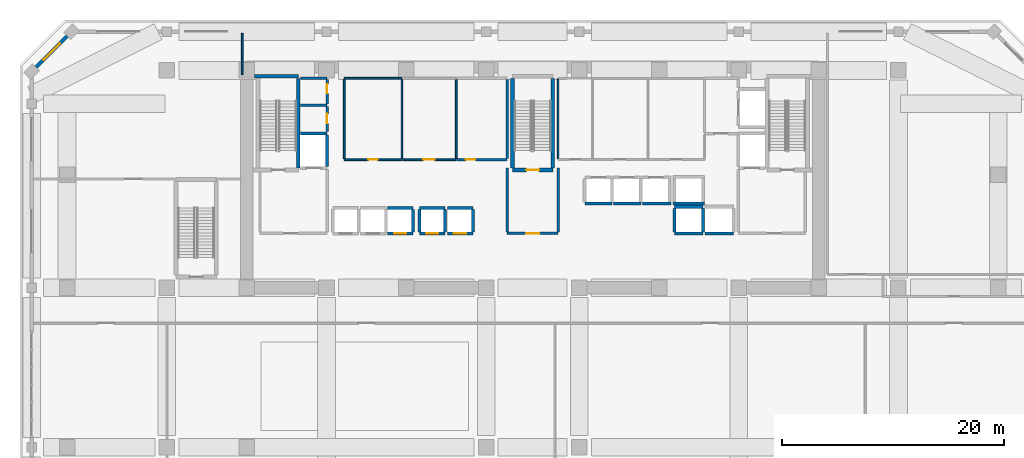
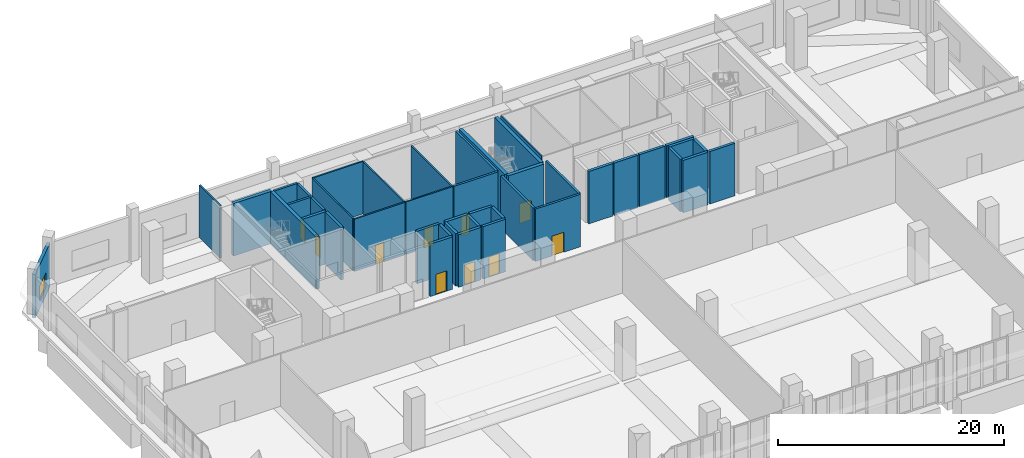
# One storey, part 18 of 25: 44 walls, 10 doors, 1 window, 11 openings.
"""IFC4 building model written with IfcOpenShell, lengths in metres."""

from ifc_helpers import new_model, si_unit, direction, frame, frame_2d, origin, place, context, subcontext, project, spatial, rectangle, extrude, material, layer, layer_set, type_object, element, fill, save


model = new_model("IFC4")

# Units and contexts
model_context = context("Model", 3, precision=1e-05, world=origin(), true_north=direction((0.0, 1.0)))
body_context = subcontext(model_context, "Body", "Model", "MODEL_VIEW")
ifc_project = project(units=[si_unit("LENGTHUNIT", "METRE"), si_unit("AREAUNIT", "SQUARE_METRE"), si_unit("VOLUMEUNIT", "CUBIC_METRE"), si_unit("PLANEANGLEUNIT", "RADIAN"), si_unit("MASSUNIT", "GRAM", prefix="KILO")], contexts=[model_context])

# Site, building, storey
site_placement = place(None, origin())
site = spatial("IfcSite", under=ifc_project, at=site_placement, CompositionType="ELEMENT")
building_placement = place(site_placement, origin())
building = spatial("IfcBuilding", under=site, at=building_placement, Name="Kaelvorn Grand Hotel", CompositionType="ELEMENT")
storey_placement = place(building_placement, frame((0.0, 0.0, 8.0)))
storey = spatial("IfcBuildingStorey", under=building, at=storey_placement, Name="L01", CompositionType="ELEMENT", Elevation=8.0)

# Wall, opening, window
ifc_material_1 = material(Name="Concrete C40/50", Category="concrete")
ifc_layer_1 = layer(ifc_material_1, 0.300048828125)
ifc_layer_set_1 = layer_set([ifc_layer_1], Name="Concrete C40/50")
wall_type_1 = type_object("IfcWallType", Name="WL-EXT-300-C40", PredefinedType="SOLIDWALL", material=ifc_layer_set_1)
wall_1_placement = place(storey_placement, frame((0.39990234375, 52.5, 0.0), z_axis=(0.0, 0.0, 1.0), x_axis=(-0.707082803744, -0.707130757816, 0.0)))
wall_1 = element("IfcWall", 1, at=wall_1_placement, inside=storey, type_object=wall_type_1, Name="L01 Exterior Architectural Concrete Wall 06", PredefinedType="SOLIDWALL", context=body_context, shape_type="SweptSolid", body=[
    extrude(rectangle(XDim=5.091064453125, YDim=0.300048828125, at=frame_2d((2.54541015625, 0.0))), origin(), (0.0, 0.0, 1.0), 4.72998046875),
])
opening_1_placement = place(wall_1_placement, frame((1.49560546875, 0.0, 0.85009765625)))
opening_1 = element("IfcOpeningElement", 2, at=opening_1_placement, cuts=wall_1, Name="Opening W7", PredefinedType="OPENING", context=body_context, shape_type="SweptSolid", body=[
    extrude(rectangle(XDim=2.10009765625, YDim=1.60009765625, at=frame_2d((1.050048828125, 0.800048828125))), frame((0.0, 0.16015625, 0.0), z_axis=(0.0, -1.0, 0.0), x_axis=(1.0, 0.0, 0.0)), (0.0, 0.0, 1.0), 0.320068359375),
])
ifc_material_2 = material(Name="Laminated Low-E Glass", Category="glass")
window_type = type_object("IfcWindowType", Name="WIN-CHM-2100x1600", PartitioningType="SINGLE_PANEL", PredefinedType="WINDOW", material=ifc_material_2)
window_placement = place(opening_1_placement, origin())
window = element("IfcWindow", 3, at=window_placement, inside=storey, type_object=window_type, Name="L01 Chamfered 45-Degree Corner Window NW", OverallHeight=1.60009765625, OverallWidth=2.10009765625, PartitioningType="SINGLE_PANEL", PredefinedType="WINDOW", context=body_context, shape_type="SweptSolid", body=[
    extrude(rectangle(XDim=2.10009765625, YDim=1.60009765625, at=frame_2d((1.050048828125, 0.800048828125))), frame((0.0, 0.030029296875, 0.0), z_axis=(0.0, -1.0, 0.0), x_axis=(1.0, 0.0, 0.0)), (0.0, 0.0, 1.0), 0.06005859375),
])
fill(opening_1, window)

# Wall
ifc_material_3 = material(Name="Moisture-Resistant Tile & Stud Board")
ifc_layer_2 = layer(ifc_material_3, 0.125)
ifc_layer_set_2 = layer_set([ifc_layer_2], Name="Moisture-Resistant Tile & Stud Board")
wall_type_2 = type_object("IfcWallType", Name="WL-PART-125-WET", PredefinedType="PARTITIONING", material=ifc_layer_set_2)
wall_2_placement = place(storey_placement, frame((44.300048828125, 41.017578125, 0.0), z_axis=(0.0, 0.0, 1.0), x_axis=(0.0, 1.0, 0.0)))
element("IfcWall", 4, at=wall_2_placement, inside=storey, type_object=wall_type_2, Name="L01 Accessible WC W Partition", PredefinedType="PARTITIONING", context=body_context, shape_type="SweptSolid", body=[
    extrude(rectangle(XDim=7.21484375, YDim=0.125, at=frame_2d((3.607421875, 0.0))), origin(), (0.0, 0.0, 1.0), 5.679931640625),
])

# Wall, opening, door
ifc_material_4 = material(Name="Acoustic Gypsum & Stud Partition")
ifc_layer_3 = layer(ifc_material_4, 0.14990234375)
ifc_layer_set_3 = layer_set([ifc_layer_3], Name="Acoustic Gypsum & Stud Partition")
wall_type_3 = type_object("IfcWallType", Name="WL-PART-150-EI60", PredefinedType="PARTITIONING", material=ifc_layer_set_3)
wall_3_placement = place(storey_placement, frame((25.0, 40.949951171875, 0.0), z_axis=(0.0, 0.0, 1.0), x_axis=(1.0, 0.0, 0.0)))
wall_3 = element("IfcWall", 5, at=wall_3_placement, inside=storey, type_object=wall_type_3, Name="L01 Central Janitor & Linen Store S Partition", PredefinedType="PARTITIONING", context=body_context, shape_type="SweptSolid", body=[
    extrude(rectangle(XDim=5.199951171875, YDim=0.14990234375, at=frame_2d((2.60009765625, 0.0))), origin(), (0.0, 0.0, 1.0), 5.679931640625),
])
opening_2_placement = place(wall_3_placement, frame((2.175048828125, 0.0, 0.0)))
opening_2 = element("IfcOpeningElement", 6, at=opening_2_placement, cuts=wall_3, Name="Opening DI7", PredefinedType="OPENING", context=body_context, shape_type="SweptSolid", body=[
    extrude(rectangle(XDim=0.85009765625, YDim=2.10009765625, at=frame_2d((0.425048828125, 1.050048828125))), frame((0.0, 0.0849609375, 0.0), z_axis=(0.0, -1.0, 0.0), x_axis=(1.0, 0.0, 0.0)), (0.0, 0.0, 1.0), 0.169921875),
])
ifc_material_5 = material(Name="Powder-Coated Steel Leaf", Category="steel")
door_type_1 = type_object("IfcDoorType", Name="DR-INT-RISER-850x2100", OperationType="NOTDEFINED", PredefinedType="DOOR", material=ifc_material_5)
door_1_placement = place(opening_2_placement, origin())
door_1 = element("IfcDoor", 7, at=door_1_placement, inside=storey, type_object=door_type_1, Name="L01 Central Janitor & Linen Store Door", OperationType="SINGLE_SWING_LEFT", OverallHeight=2.10009765625, OverallWidth=0.85009765625, PredefinedType="DOOR", context=body_context, shape_type="SweptSolid", body=[
    extrude(rectangle(XDim=0.85009765625, YDim=2.10009765625, at=frame_2d((0.425048828125, 1.050048828125))), frame((0.0, 0.02490234375, 0.0), z_axis=(0.0, -1.0, 0.0), x_axis=(1.0, 0.0, 0.0)), (0.0, 0.0, 1.0), 0.050048828125),
])
fill(opening_2, door_1)

# Walls
wall_4_placement = place(storey_placement, frame((25.0, 48.300048828125, 0.0), z_axis=(0.0, 0.0, 1.0), x_axis=(1.0, 0.0, 0.0)))
element("IfcWall", 8, at=wall_4_placement, inside=storey, type_object=wall_type_3, Name="L01 Central Janitor & Linen Store N Partition", PredefinedType="PARTITIONING", context=body_context, shape_type="SweptSolid", body=[
    extrude(rectangle(XDim=5.199951171875, YDim=0.14990234375, at=frame_2d((2.60009765625, 0.0))), origin(), (0.0, 0.0, 1.0), 5.679931640625),
])
for number, where, z_axis, x_axis, name in (
    (9, (25.0, 41.030029296875, 0.0), (0.0, 0.0, 1.0), (0.0, 1.0, 0.0), "L01 Central Janitor & Linen Store W Partition"),
    (10, (30.199951171875, 41.030029296875, 0.0), (0.0, 0.0, 1.0), (0.0, 1.0, 0.0), "L01 Central Janitor & Linen Store E Partition"),
):
    element("IfcWall", number, at=place(storey_placement, frame(where, z_axis=z_axis, x_axis=x_axis)), inside=storey, type_object=wall_type_3, Name=name, PredefinedType="PARTITIONING", context=body_context, shape_type="SweptSolid", body=[
        extrude(rectangle(XDim=7.18994140625, YDim=0.14990234375, at=frame_2d((3.594970703125, 0.0))), origin(), (0.0, 0.0, 1.0), 5.679931640625),
    ])

# Wall, opening, door
wall_5_placement = place(storey_placement, frame((30.280029296875, 40.949951171875, 0.0), z_axis=(0.0, 0.0, 1.0), x_axis=(1.0, 0.0, 0.0)))
wall_5 = element("IfcWall", 11, at=wall_5_placement, inside=storey, type_object=wall_type_3, Name="L01 Room Service Servery Pantry S Partition", PredefinedType="PARTITIONING", context=body_context, shape_type="SweptSolid", body=[
    extrude(rectangle(XDim=4.820068359375, YDim=0.14990234375, at=frame_2d((2.41015625, 0.0))), origin(), (0.0, 0.0, 1.0), 5.679931640625),
])
opening_3_placement = place(wall_5_placement, frame((1.8701171875, 0.0, 0.0)))
opening_3 = element("IfcOpeningElement", 12, at=opening_3_placement, cuts=wall_5, Name="Opening DI3", PredefinedType="OPENING", context=body_context, shape_type="SweptSolid", body=[
    extrude(rectangle(XDim=1.0, YDim=2.14990234375, at=frame_2d((0.5, 1.074951171875))), frame((0.0, 0.0849609375, 0.0), z_axis=(0.0, -1.0, 0.0), x_axis=(1.0, 0.0, 0.0)), (0.0, 0.0, 1.0), 0.169921875),
])
ifc_material_6 = material(Name="Timber Veneer Fire Leaf", Category="wood")
door_type_2 = type_object("IfcDoorType", Name="DR-INT-GUEST-1000x2150", OperationType="NOTDEFINED", PredefinedType="DOOR", material=ifc_material_6)
door_2_placement = place(opening_3_placement, origin())
door_2 = element("IfcDoor", 13, at=door_2_placement, inside=storey, type_object=door_type_2, Name="L01 Room Service Servery Pantry Door", OperationType="SINGLE_SWING_RIGHT", OverallHeight=2.14990234375, OverallWidth=1.0, PredefinedType="DOOR", context=body_context, shape_type="SweptSolid", body=[
    extrude(rectangle(XDim=1.0, YDim=2.14990234375, at=frame_2d((0.5, 1.074951171875))), frame((0.0, 0.02490234375, 0.0), z_axis=(0.0, -1.0, 0.0), x_axis=(1.0, 0.0, 0.0)), (0.0, 0.0, 1.0), 0.050048828125),
])
fill(opening_3, door_2)

# Walls
wall_6_placement = place(storey_placement, frame((35.10009765625, 41.030029296875, 0.0), z_axis=(0.0, 0.0, 1.0), x_axis=(0.0, 1.0, 0.0)))
element("IfcWall", 14, at=wall_6_placement, inside=storey, type_object=wall_type_3, Name="L01 Room Service Servery Pantry E Partition", PredefinedType="PARTITIONING", context=body_context, shape_type="SweptSolid", body=[
    extrude(rectangle(XDim=7.18994140625, YDim=0.14990234375, at=frame_2d((3.594970703125, 0.0))), origin(), (0.0, 0.0, 1.0), 5.679931640625),
])
wall_7_placement = place(storey_placement, frame((15.800048828125, 48.610107421875, 0.0), z_axis=(0.0, 0.0, 1.0), x_axis=(0.0, 1.0, 0.0)))
element("IfcWall", 15, at=wall_7_placement, inside=storey, type_object=wall_type_3, Name="L01 L01 North-West Banquet Support & Admin Office E Partition", PredefinedType="PARTITIONING", context=body_context, shape_type="SweptSolid", body=[
    extrude(rectangle(XDim=3.73486328125, YDim=0.14990234375, at=frame_2d((1.867431640625, 0.0))), origin(), (0.0, 0.0, 1.0), 5.679931640625),
])

# Wall, opening, door
ifc_layer_4 = layer(ifc_material_1, 0.219970703125)
ifc_layer_set_4 = layer_set([ifc_layer_4], Name="Concrete C40/50")
wall_type_4 = type_object("IfcWallType", Name="WL-PART-220-EI120", PredefinedType="PARTITIONING", material=ifc_layer_set_4)
wall_8_placement = place(storey_placement, frame((39.699951171875, 34.300048828125, 0.0), z_axis=(0.0, 0.0, 1.0), x_axis=(1.0, 0.0, 0.0)))
wall_8 = element("IfcWall", 16, at=wall_8_placement, inside=storey, type_object=wall_type_4, Name="L01 Central Stair Escape Vestibule S Partition", PredefinedType="PARTITIONING", context=body_context, shape_type="SweptSolid", body=[
    extrude(rectangle(XDim=4.60009765625, YDim=0.219970703125, at=frame_2d((2.300048828125, 0.0))), origin(), (0.0, 0.0, 1.0), 5.679931640625),
])
opening_4_placement = place(wall_8_placement, frame((1.699951171875, 0.0, 0.0)))
opening_4 = element("IfcOpeningElement", 17, at=opening_4_placement, cuts=wall_8, Name="Opening DI2", PredefinedType="OPENING", context=body_context, shape_type="SweptSolid", body=[
    extrude(rectangle(XDim=1.199951171875, YDim=2.14990234375, at=frame_2d((0.60009765625, 1.074951171875))), frame((0.0, 0.1201171875, 0.0), z_axis=(0.0, -1.0, 0.0), x_axis=(1.0, 0.0, 0.0)), (0.0, 0.0, 1.0), 0.239990234375),
])
door_type_3 = type_object("IfcDoorType", Name="DR-INT-FFLOB-1200x2150", OperationType="NOTDEFINED", PredefinedType="DOOR", material=ifc_material_6)
door_3_placement = place(opening_4_placement, origin())
door_3 = element("IfcDoor", 18, at=door_3_placement, inside=storey, type_object=door_type_3, Name="L01 Central Stair Escape Vestibule Door", OperationType="SINGLE_SWING_LEFT", OverallHeight=2.14990234375, OverallWidth=1.199951171875, PredefinedType="DOOR", context=body_context, shape_type="SweptSolid", body=[
    extrude(rectangle(XDim=1.199951171875, YDim=2.14990234375, at=frame_2d((0.60009765625, 1.074951171875))), frame((0.0, 0.02490234375, 0.0), z_axis=(0.0, -1.0, 0.0), x_axis=(1.0, 0.0, 0.0)), (0.0, 0.0, 1.0), 0.050048828125),
])
fill(opening_4, door_3)

# Walls
for number, where, z_axis, x_axis, name in (
    (19, (39.699951171875, 34.4150390625, 0.0), (0.0, 0.0, 1.0), (0.0, 1.0, 0.0), "L01 Central Stair Escape Vestibule W Partition"),
    (20, (44.300048828125, 34.4150390625, 0.0), (0.0, 0.0, 1.0), (0.0, 1.0, 0.0), "L01 Central Stair Escape Vestibule E Partition"),
):
    element("IfcWall", number, at=place(storey_placement, frame(where, z_axis=z_axis, x_axis=x_axis)), inside=storey, type_object=wall_type_4, Name=name, PredefinedType="PARTITIONING", context=body_context, shape_type="SweptSolid", body=[
        extrude(rectangle(XDim=5.784912109375, YDim=0.219970703125, at=frame_2d((2.892578125, 0.0))), origin(), (0.0, 0.0, 1.0), 5.679931640625),
    ])
wall_9_placement = place(storey_placement, frame((21.034912109375, 45.85009765625, 0.0), z_axis=(0.0, 0.0, 1.0), x_axis=(1.0, 0.0, 0.0)))
element("IfcWall", 21, at=wall_9_placement, inside=storey, type_object=wall_type_4, Name="L01 Wet Fire & Plumbing Riser Shaft N Partition", PredefinedType="PARTITIONING", context=body_context, shape_type="SweptSolid", body=[
    extrude(rectangle(XDim=2.4150390625, YDim=0.219970703125, at=frame_2d((1.20751953125, 0.0))), origin(), (0.0, 0.0, 1.0), 5.679931640625),
])

# Wall, opening, door
wall_10_placement = place(storey_placement, frame((23.449951171875, 43.5, 0.0), z_axis=(0.0, 0.0, 1.0), x_axis=(0.0, 1.0, 0.0)))
wall_10 = element("IfcWall", 22, at=wall_10_placement, inside=storey, type_object=wall_type_4, Name="L01 Wet Fire & Plumbing Riser Shaft E Partition", PredefinedType="PARTITIONING", context=body_context, shape_type="SweptSolid", body=[
    extrude(rectangle(XDim=2.235107421875, YDim=0.219970703125, at=frame_2d((1.11767578125, 0.0))), origin(), (0.0, 0.0, 1.0), 5.679931640625),
])
opening_5_placement = place(wall_10_placement, frame((0.72509765625, 0.0, 0.0)))
opening_5 = element("IfcOpeningElement", 23, at=opening_5_placement, cuts=wall_10, Name="Opening DI7", PredefinedType="OPENING", context=body_context, shape_type="SweptSolid", body=[
    extrude(rectangle(XDim=0.85009765625, YDim=2.10009765625, at=frame_2d((0.425048828125, 1.050048828125))), frame((0.0, 0.1201171875, 0.0), z_axis=(0.0, -1.0, 0.0), x_axis=(1.0, 0.0, 0.0)), (0.0, 0.0, 1.0), 0.239990234375),
])
door_4_placement = place(opening_5_placement, origin())
door_4 = element("IfcDoor", 24, at=door_4_placement, inside=storey, type_object=door_type_1, Name="L01 Wet Fire & Plumbing Riser Shaft Door", OperationType="SINGLE_SWING_LEFT", OverallHeight=2.10009765625, OverallWidth=0.85009765625, PredefinedType="DOOR", context=body_context, shape_type="SweptSolid", body=[
    extrude(rectangle(XDim=0.85009765625, YDim=2.10009765625, at=frame_2d((0.425048828125, 1.050048828125))), frame((0.0, 0.02490234375, 0.0), z_axis=(0.0, -1.0, 0.0), x_axis=(1.0, 0.0, 0.0)), (0.0, 0.0, 1.0), 0.050048828125),
])
fill(opening_5, door_4)

# Wall
wall_11_placement = place(storey_placement, frame((21.034912109375, 48.300048828125, 0.0), z_axis=(0.0, 0.0, 1.0), x_axis=(1.0, 0.0, 0.0)))
element("IfcWall", 25, at=wall_11_placement, inside=storey, type_object=wall_type_4, Name="L01 HV Electrical & Smoke Riser N Partition", PredefinedType="PARTITIONING", context=body_context, shape_type="SweptSolid", body=[
    extrude(rectangle(XDim=2.4150390625, YDim=0.219970703125, at=frame_2d((1.20751953125, 0.0))), origin(), (0.0, 0.0, 1.0), 5.679931640625),
])

# Wall, opening, door
wall_12_placement = place(storey_placement, frame((23.449951171875, 45.965087890625, 0.0), z_axis=(0.0, 0.0, 1.0), x_axis=(0.0, 1.0, 0.0)))
wall_12 = element("IfcWall", 26, at=wall_12_placement, inside=storey, type_object=wall_type_4, Name="L01 HV Electrical & Smoke Riser E Partition", PredefinedType="PARTITIONING", context=body_context, shape_type="SweptSolid", body=[
    extrude(rectangle(XDim=2.219970703125, YDim=0.219970703125, at=frame_2d((1.10986328125, 0.0))), origin(), (0.0, 0.0, 1.0), 5.679931640625),
])
opening_6_placement = place(wall_12_placement, frame((0.9599609375, 0.0, 0.0)))
opening_6 = element("IfcOpeningElement", 27, at=opening_6_placement, cuts=wall_12, Name="Opening DI7", PredefinedType="OPENING", context=body_context, shape_type="SweptSolid", body=[
    extrude(rectangle(XDim=0.85009765625, YDim=2.10009765625, at=frame_2d((0.425048828125, 1.050048828125))), frame((0.0, 0.1201171875, 0.0), z_axis=(0.0, -1.0, 0.0), x_axis=(1.0, 0.0, 0.0)), (0.0, 0.0, 1.0), 0.239990234375),
])
door_5_placement = place(opening_6_placement, origin())
door_5 = element("IfcDoor", 28, at=door_5_placement, inside=storey, type_object=door_type_1, Name="L01 HV Electrical & Smoke Riser Door", OperationType="SINGLE_SWING_RIGHT", OverallHeight=2.10009765625, OverallWidth=0.85009765625, PredefinedType="DOOR", context=body_context, shape_type="SweptSolid", body=[
    extrude(rectangle(XDim=0.85009765625, YDim=2.10009765625, at=frame_2d((0.425048828125, 1.050048828125))), frame((0.0, 0.02490234375, 0.0), z_axis=(0.0, -1.0, 0.0), x_axis=(1.0, 0.0, 0.0)), (0.0, 0.0, 1.0), 0.050048828125),
])
fill(opening_6, door_5)

wall_13_placement = place(storey_placement, frame((35.179931640625, 40.949951171875, 0.0), z_axis=(0.0, 0.0, 1.0), x_axis=(1.0, 0.0, 0.0)))
wall_13 = element("IfcWall", 29, at=wall_13_placement, inside=storey, type_object=wall_type_4, Name="L01 Floor Electrical Switchroom S Partition", PredefinedType="PARTITIONING", context=body_context, shape_type="SweptSolid", body=[
    extrude(rectangle(XDim=4.52001953125, YDim=0.219970703125, at=frame_2d((2.260009765625, 0.0))), origin(), (0.0, 0.0, 1.0), 5.679931640625),
])
opening_7_placement = place(wall_13_placement, frame((0.794921875, 0.0, 0.0)))
opening_7 = element("IfcOpeningElement", 30, at=opening_7_placement, cuts=wall_13, Name="Opening DI7", PredefinedType="OPENING", context=body_context, shape_type="SweptSolid", body=[
    extrude(rectangle(XDim=0.85009765625, YDim=2.10009765625, at=frame_2d((0.425048828125, 1.050048828125))), frame((0.0, 0.1201171875, 0.0), z_axis=(0.0, -1.0, 0.0), x_axis=(1.0, 0.0, 0.0)), (0.0, 0.0, 1.0), 0.239990234375),
])
door_6_placement = place(opening_7_placement, origin())
door_6 = element("IfcDoor", 31, at=door_6_placement, inside=storey, type_object=door_type_1, Name="L01 Floor Electrical Switchroom Door", OperationType="SINGLE_SWING_LEFT", OverallHeight=2.10009765625, OverallWidth=0.85009765625, PredefinedType="DOOR", context=body_context, shape_type="SweptSolid", body=[
    extrude(rectangle(XDim=0.85009765625, YDim=2.10009765625, at=frame_2d((0.425048828125, 1.050048828125))), frame((0.0, 0.02490234375, 0.0), z_axis=(0.0, -1.0, 0.0), x_axis=(1.0, 0.0, 0.0)), (0.0, 0.0, 1.0), 0.050048828125),
])
fill(opening_7, door_6)

# Wall
wall_14_placement = place(storey_placement, frame((39.699951171875, 41.06494140625, 0.0), z_axis=(0.0, 0.0, 1.0), x_axis=(0.0, 1.0, 0.0)))
element("IfcWall", 32, at=wall_14_placement, inside=storey, type_object=wall_type_4, Name="L01 Floor Electrical Switchroom E Partition", PredefinedType="PARTITIONING", context=body_context, shape_type="SweptSolid", body=[
    extrude(rectangle(XDim=7.1201171875, YDim=0.219970703125, at=frame_2d((3.56005859375, 0.0))), origin(), (0.0, 0.0, 1.0), 5.679931640625),
])

# Wall, opening, door
ifc_material_7 = material(Name="Concrete C50/60", Category="concrete")
ifc_layer_5 = layer(ifc_material_7, 0.280029296875)
ifc_layer_set_5 = layer_set([ifc_layer_5], Name="Concrete C50/60")
wall_type_5 = type_object("IfcWallType", Name="WL-SHAFT-280-C50", PredefinedType="SHEAR", material=ifc_layer_set_5)
wall_15_placement = place(storey_placement, frame((28.89990234375, 34.300048828125, 0.0), z_axis=(0.0, 0.0, 1.0), x_axis=(1.0, 0.0, 0.0)))
wall_15 = element("IfcWall", 33, at=wall_15_placement, inside=storey, type_object=wall_type_5, Name="L01 Lift PL-L3 Shaft South Wall", PredefinedType="SHEAR", context=body_context, shape_type="SweptSolid", body=[
    extrude(rectangle(XDim=2.300048828125, YDim=0.280029296875, at=frame_2d((1.14990234375, 0.0))), origin(), (0.0, 0.0, 1.0), 5.679931640625),
])
opening_8_placement = place(wall_15_placement, frame((0.60009765625, 0.0, 0.0)))
opening_8 = element("IfcOpeningElement", 34, at=opening_8_placement, cuts=wall_15, Name="Opening LD-PL-L3", PredefinedType="OPENING", context=body_context, shape_type="SweptSolid", body=[
    extrude(rectangle(XDim=1.10009765625, YDim=2.199951171875, at=frame_2d((0.550048828125, 1.10009765625))), frame((0.0, 0.14990234375, 0.0), z_axis=(0.0, -1.0, 0.0), x_axis=(1.0, 0.0, 0.0)), (0.0, 0.0, 1.0), 0.300048828125),
])
ifc_material_8 = material(Name="Stainless Steel", Category="steel")
door_type_4 = type_object("IfcDoorType", Name="DR-LIFT-PASS-1100x2200", OperationType="DOUBLE_DOOR_SLIDING", PredefinedType="DOOR", material=ifc_material_8)
door_7_placement = place(opening_8_placement, origin())
door_7 = element("IfcDoor", 35, at=door_7_placement, inside=storey, type_object=door_type_4, Name="L01 Lift PL-L3 Sliding Landing Door LD-PL-L3", OperationType="DOUBLE_DOOR_SLIDING", OverallHeight=2.199951171875, OverallWidth=1.10009765625, PredefinedType="DOOR", context=body_context, shape_type="SweptSolid", body=[
    extrude(rectangle(XDim=1.10009765625, YDim=2.199951171875, at=frame_2d((0.550048828125, 1.10009765625))), frame((0.0, 0.02490234375, 0.0), z_axis=(0.0, -1.0, 0.0), x_axis=(1.0, 0.0, 0.0)), (0.0, 0.0, 1.0), 0.050048828125),
])
fill(opening_8, door_7)

# Walls
wall_16_placement = place(storey_placement, frame((28.89990234375, 36.60009765625, 0.0), z_axis=(0.0, 0.0, 1.0), x_axis=(1.0, 0.0, 0.0)))
element("IfcWall", 36, at=wall_16_placement, inside=storey, type_object=wall_type_5, Name="L01 Lift PL-L3 Shaft North Wall", PredefinedType="SHEAR", context=body_context, shape_type="SweptSolid", body=[
    extrude(rectangle(XDim=2.300048828125, YDim=0.280029296875, at=frame_2d((1.14990234375, 0.0))), origin(), (0.0, 0.0, 1.0), 5.679931640625),
])
wall_17_placement = place(storey_placement, frame((31.199951171875, 34.445068359375, 0.0), z_axis=(0.0, 0.0, 1.0), x_axis=(0.0, 1.0, 0.0)))
element("IfcWall", 37, at=wall_17_placement, inside=storey, type_object=wall_type_5, Name="L01 Lift PL-L3 Shaft East Wall", PredefinedType="SHEAR", context=body_context, shape_type="SweptSolid", body=[
    extrude(rectangle(XDim=2.010009765625, YDim=0.280029296875, at=frame_2d((1.0048828125, 0.0))), origin(), (0.0, 0.0, 1.0), 5.679931640625),
])
for number, where, z_axis, x_axis, name in (
    (38, (46.699951171875, 37.0, 0.0), (0.0, 0.0, 1.0), (1.0, 0.0, 0.0), "L01 Lift SL-1 Shaft South Wall"),
    (39, (49.300048828125, 37.0, 0.0), (0.0, 0.0, 1.0), (1.0, 0.0, 0.0), "L01 Lift SL-2 Shaft South Wall"),
):
    element("IfcWall", number, at=place(storey_placement, frame(where, z_axis=z_axis, x_axis=x_axis)), inside=storey, type_object=wall_type_5, Name=name, PredefinedType="SHEAR", context=body_context, shape_type="SweptSolid", body=[
        extrude(rectangle(XDim=2.449951171875, YDim=0.280029296875, at=frame_2d((1.22509765625, 0.0))), origin(), (0.0, 0.0, 1.0), 5.679931640625),
    ])
wall_18_placement = place(storey_placement, frame((51.89990234375, 37.0, 0.0), z_axis=(0.0, 0.0, 1.0), x_axis=(1.0, 0.0, 0.0)))
element("IfcWall", 40, at=wall_18_placement, inside=storey, type_object=wall_type_5, Name="L01 Lift SL-3 Shaft South Wall", PredefinedType="SHEAR", context=body_context, shape_type="SweptSolid", body=[
    extrude(rectangle(XDim=2.590087890625, YDim=0.280029296875, at=frame_2d((1.294921875, 0.0))), origin(), (0.0, 0.0, 1.0), 5.679931640625),
])
for number, where, z_axis, x_axis, name in (
    (41, (54.800048828125, 34.300048828125, 0.0), (0.0, 0.0, 1.0), (1.0, 0.0, 0.0), "L01 Lift OL-1 Shaft South Wall"),
    (42, (54.800048828125, 36.699951171875, 0.0), (0.0, 0.0, 1.0), (1.0, 0.0, 0.0), "L01 Lift OL-1 Shaft North Wall"),
):
    element("IfcWall", number, at=place(storey_placement, frame(where, z_axis=z_axis, x_axis=x_axis)), inside=storey, type_object=wall_type_5, Name=name, PredefinedType="SHEAR", context=body_context, shape_type="SweptSolid", body=[
        extrude(rectangle(XDim=2.550048828125, YDim=0.280029296875, at=frame_2d((1.27490234375, 0.0))), origin(), (0.0, 0.0, 1.0), 5.679931640625),
    ])
for number, where, z_axis, x_axis, name in (
    (43, (54.800048828125, 34.445068359375, 0.0), (0.0, 0.0, 1.0), (0.0, 1.0, 0.0), "L01 Lift OL-1 Shaft West Wall"),
    (44, (57.35009765625, 34.445068359375, 0.0), (0.0, 0.0, 1.0), (0.0, 1.0, 0.0), "L01 Lift OL-1 Shaft East Wall"),
):
    element("IfcWall", number, at=place(storey_placement, frame(where, z_axis=z_axis, x_axis=x_axis)), inside=storey, type_object=wall_type_5, Name=name, PredefinedType="SHEAR", context=body_context, shape_type="SweptSolid", body=[
        extrude(rectangle(XDim=2.10986328125, YDim=0.280029296875, at=frame_2d((1.054931640625, 0.0))), origin(), (0.0, 0.0, 1.0), 5.679931640625),
    ])
wall_19_placement = place(storey_placement, frame((57.550048828125, 34.300048828125, 0.0), z_axis=(0.0, 0.0, 1.0), x_axis=(1.0, 0.0, 0.0)))
element("IfcWall", 45, at=wall_19_placement, inside=storey, type_object=wall_type_5, Name="L01 Lift OL-2 Shaft South Wall", PredefinedType="SHEAR", context=body_context, shape_type="SweptSolid", body=[
    extrude(rectangle(XDim=2.550048828125, YDim=0.280029296875, at=frame_2d((1.27490234375, 0.0))), origin(), (0.0, 0.0, 1.0), 5.679931640625),
])
wall_20_placement = place(storey_placement, frame((54.659912109375, 37.0, 0.0), z_axis=(0.0, 0.0, 1.0), x_axis=(1.0, 0.0, 0.0)))
element("IfcWall", 46, at=wall_20_placement, inside=storey, type_object=wall_type_5, Name="L01 Lift OL-3 Shaft South Wall", PredefinedType="SHEAR", context=body_context, shape_type="SweptSolid", body=[
    extrude(rectangle(XDim=2.830078125, YDim=0.280029296875, at=frame_2d((1.4150390625, 0.0))), origin(), (0.0, 0.0, 1.0), 5.679931640625),
])

# Wall, opening, door
wall_21_placement = place(storey_placement, frame((31.800048828125, 34.300048828125, 0.0), z_axis=(0.0, 0.0, 1.0), x_axis=(1.0, 0.0, 0.0)))
wall_21 = element("IfcWall", 47, at=wall_21_placement, inside=storey, type_object=wall_type_5, Name="L01 Lift PK-1 Shaft South Wall", PredefinedType="SHEAR", context=body_context, shape_type="SweptSolid", body=[
    extrude(rectangle(XDim=2.300048828125, YDim=0.280029296875, at=frame_2d((1.14990234375, 0.0))), origin(), (0.0, 0.0, 1.0), 5.679931640625),
])
opening_9_placement = place(wall_21_placement, frame((0.60009765625, 0.0, 0.0)))
opening_9 = element("IfcOpeningElement", 48, at=opening_9_placement, cuts=wall_21, Name="Opening LD-PK-1", PredefinedType="OPENING", context=body_context, shape_type="SweptSolid", body=[
    extrude(rectangle(XDim=1.10009765625, YDim=2.199951171875, at=frame_2d((0.550048828125, 1.10009765625))), frame((0.0, 0.14990234375, 0.0), z_axis=(0.0, -1.0, 0.0), x_axis=(1.0, 0.0, 0.0)), (0.0, 0.0, 1.0), 0.300048828125),
])
door_8_placement = place(opening_9_placement, origin())
door_8 = element("IfcDoor", 49, at=door_8_placement, inside=storey, type_object=door_type_4, Name="L01 Lift PK-1 Sliding Landing Door LD-PK-1", OperationType="DOUBLE_DOOR_SLIDING", OverallHeight=2.199951171875, OverallWidth=1.10009765625, PredefinedType="DOOR", context=body_context, shape_type="SweptSolid", body=[
    extrude(rectangle(XDim=1.10009765625, YDim=2.199951171875, at=frame_2d((0.550048828125, 1.10009765625))), frame((0.0, 0.02490234375, 0.0), z_axis=(0.0, -1.0, 0.0), x_axis=(1.0, 0.0, 0.0)), (0.0, 0.0, 1.0), 0.050048828125),
])
fill(opening_9, door_8)

# Walls
wall_22_placement = place(storey_placement, frame((31.800048828125, 36.60009765625, 0.0), z_axis=(0.0, 0.0, 1.0), x_axis=(1.0, 0.0, 0.0)))
element("IfcWall", 50, at=wall_22_placement, inside=storey, type_object=wall_type_5, Name="L01 Lift PK-1 Shaft North Wall", PredefinedType="SHEAR", context=body_context, shape_type="SweptSolid", body=[
    extrude(rectangle(XDim=2.300048828125, YDim=0.280029296875, at=frame_2d((1.14990234375, 0.0))), origin(), (0.0, 0.0, 1.0), 5.679931640625),
])
for number, where, z_axis, x_axis, name in (
    (51, (31.800048828125, 34.445068359375, 0.0), (0.0, 0.0, 1.0), (0.0, 1.0, 0.0), "L01 Lift PK-1 Shaft West Wall"),
    (52, (34.10009765625, 34.445068359375, 0.0), (0.0, 0.0, 1.0), (0.0, 1.0, 0.0), "L01 Lift PK-1 Shaft East Wall"),
):
    element("IfcWall", number, at=place(storey_placement, frame(where, z_axis=z_axis, x_axis=x_axis)), inside=storey, type_object=wall_type_5, Name=name, PredefinedType="SHEAR", context=body_context, shape_type="SweptSolid", body=[
        extrude(rectangle(XDim=2.010009765625, YDim=0.280029296875, at=frame_2d((1.0048828125, 0.0))), origin(), (0.0, 0.0, 1.0), 5.679931640625),
    ])

# Wall, opening, door
wall_23_placement = place(storey_placement, frame((34.300048828125, 34.300048828125, 0.0), z_axis=(0.0, 0.0, 1.0), x_axis=(1.0, 0.0, 0.0)))
wall_23 = element("IfcWall", 53, at=wall_23_placement, inside=storey, type_object=wall_type_5, Name="L01 Lift PK-2 Shaft South Wall", PredefinedType="SHEAR", context=body_context, shape_type="SweptSolid", body=[
    extrude(rectangle(XDim=2.300048828125, YDim=0.280029296875, at=frame_2d((1.14990234375, 0.0))), origin(), (0.0, 0.0, 1.0), 5.679931640625),
])
opening_10_placement = place(wall_23_placement, frame((0.60009765625, 0.0, 0.0)))
opening_10 = element("IfcOpeningElement", 54, at=opening_10_placement, cuts=wall_23, Name="Opening LD-PK-2", PredefinedType="OPENING", context=body_context, shape_type="SweptSolid", body=[
    extrude(rectangle(XDim=1.10009765625, YDim=2.199951171875, at=frame_2d((0.550048828125, 1.10009765625))), frame((0.0, 0.14990234375, 0.0), z_axis=(0.0, -1.0, 0.0), x_axis=(1.0, 0.0, 0.0)), (0.0, 0.0, 1.0), 0.300048828125),
])
door_9_placement = place(opening_10_placement, origin())
door_9 = element("IfcDoor", 55, at=door_9_placement, inside=storey, type_object=door_type_4, Name="L01 Lift PK-2 Sliding Landing Door LD-PK-2", OperationType="DOUBLE_DOOR_SLIDING", OverallHeight=2.199951171875, OverallWidth=1.10009765625, PredefinedType="DOOR", context=body_context, shape_type="SweptSolid", body=[
    extrude(rectangle(XDim=1.10009765625, YDim=2.199951171875, at=frame_2d((0.550048828125, 1.10009765625))), frame((0.0, 0.02490234375, 0.0), z_axis=(0.0, -1.0, 0.0), x_axis=(1.0, 0.0, 0.0)), (0.0, 0.0, 1.0), 0.050048828125),
])
fill(opening_10, door_9)

# Walls
wall_24_placement = place(storey_placement, frame((34.300048828125, 36.60009765625, 0.0), z_axis=(0.0, 0.0, 1.0), x_axis=(1.0, 0.0, 0.0)))
element("IfcWall", 56, at=wall_24_placement, inside=storey, type_object=wall_type_5, Name="L01 Lift PK-2 Shaft North Wall", PredefinedType="SHEAR", context=body_context, shape_type="SweptSolid", body=[
    extrude(rectangle(XDim=2.300048828125, YDim=0.280029296875, at=frame_2d((1.14990234375, 0.0))), origin(), (0.0, 0.0, 1.0), 5.679931640625),
])
wall_25_placement = place(storey_placement, frame((36.60009765625, 34.445068359375, 0.0), z_axis=(0.0, 0.0, 1.0), x_axis=(0.0, 1.0, 0.0)))
element("IfcWall", 57, at=wall_25_placement, inside=storey, type_object=wall_type_5, Name="L01 Lift PK-2 Shaft East Wall", PredefinedType="SHEAR", context=body_context, shape_type="SweptSolid", body=[
    extrude(rectangle(XDim=2.010009765625, YDim=0.280029296875, at=frame_2d((1.0048828125, 0.0))), origin(), (0.0, 0.0, 1.0), 5.679931640625),
])
wall_26_placement = place(storey_placement, frame((21.034912109375, 43.300048828125, 0.0), z_axis=(0.0, 0.0, 1.0), x_axis=(1.0, 0.0, 0.0)))
element("IfcWall", 58, at=wall_26_placement, inside=storey, type_object=wall_type_5, Name="L01 Lift FFL1 Shaft North Wall", PredefinedType="SHEAR", context=body_context, shape_type="SweptSolid", body=[
    extrude(rectangle(XDim=2.4150390625, YDim=0.280029296875, at=frame_2d((1.20751953125, 0.0))), origin(), (0.0, 0.0, 1.0), 5.679931640625),
])
wall_27_placement = place(storey_placement, frame((23.449951171875, 40.344970703125, 0.0), z_axis=(0.0, 0.0, 1.0), x_axis=(0.0, 1.0, 0.0)))
element("IfcWall", 59, at=wall_27_placement, inside=storey, type_object=wall_type_5, Name="L01 Lift FFL1 Shaft East Wall", PredefinedType="SHEAR", context=body_context, shape_type="SweptSolid", body=[
    extrude(rectangle(XDim=2.81005859375, YDim=0.280029296875, at=frame_2d((1.405029296875, 0.0))), origin(), (0.0, 0.0, 1.0), 5.679931640625),
])
ifc_material_9 = material(Name="Concrete C60/75", Category="concrete")
ifc_layer_6 = layer(ifc_material_9, 0.35009765625)
ifc_layer_set_6 = layer_set([ifc_layer_6], Name="Concrete C60/75")
wall_type_6 = type_object("IfcWallType", Name="WL-SHAFT-350-C60", PredefinedType="SHEAR", material=ifc_layer_set_6)
wall_28_placement = place(storey_placement, frame((16.905029296875, 48.47509765625, 0.0), z_axis=(0.0, 0.0, 1.0), x_axis=(1.0, 0.0, 0.0)))
element("IfcWall", 60, at=wall_28_placement, inside=storey, type_object=wall_type_6, Name="L01 ST1 Stair Shaft North Wall", PredefinedType="SHEAR", context=body_context, shape_type="SweptSolid", body=[
    extrude(rectangle(XDim=3.949951171875, YDim=0.35009765625, at=frame_2d((1.97509765625, 0.0))), origin(), (0.0, 0.0, 1.0), 5.679931640625),
])
wall_29_placement = place(storey_placement, frame((20.85498046875, 40.205078125, 0.0), z_axis=(0.0, 0.0, 1.0), x_axis=(0.0, 1.0, 0.0)))
element("IfcWall", 61, at=wall_29_placement, inside=storey, type_object=wall_type_6, Name="L01 ST1 Stair Shaft East Wall", PredefinedType="SHEAR", context=body_context, shape_type="SweptSolid", body=[
    extrude(rectangle(XDim=8.08984375, YDim=0.35009765625, at=frame_2d((4.044921875, 0.0))), origin(), (0.0, 0.0, 1.0), 5.679931640625),
])

# Wall, opening, door
wall_30_placement = place(storey_placement, frame((40.18505859375, 40.02490234375, 0.0), z_axis=(0.0, 0.0, 1.0), x_axis=(1.0, 0.0, 0.0)))
wall_30 = element("IfcWall", 62, at=wall_30_placement, inside=storey, type_object=wall_type_6, Name="L01 ST2 Stair Shaft South Wall", PredefinedType="SHEAR", context=body_context, shape_type="SweptSolid", body=[
    extrude(rectangle(XDim=3.6298828125, YDim=0.35009765625, at=frame_2d((1.81494140625, 0.0))), origin(), (0.0, 0.0, 1.0), 5.679931640625),
])
opening_11_placement = place(wall_30_placement, frame((1.239990234375, 0.0, 0.0)))
opening_11 = element("IfcOpeningElement", 63, at=opening_11_placement, cuts=wall_30, Name="Opening DI1", PredefinedType="OPENING", context=body_context, shape_type="SweptSolid", body=[
    extrude(rectangle(XDim=1.14990234375, YDim=2.14990234375, at=frame_2d((0.574951171875, 1.074951171875))), frame((0.0, 0.18505859375, 0.0), z_axis=(0.0, -1.0, 0.0), x_axis=(1.0, 0.0, 0.0)), (0.0, 0.0, 1.0), 0.3701171875),
])
door_type_5 = type_object("IfcDoorType", Name="DR-INT-STAIR-1150x2150", OperationType="NOTDEFINED", PredefinedType="DOOR", material=ifc_material_6)
door_10_placement = place(opening_11_placement, origin())
door_10 = element("IfcDoor", 64, at=door_10_placement, inside=storey, type_object=door_type_5, Name="L01 ST2 Exit Stair Fire Door", OperationType="SINGLE_SWING_RIGHT", OverallHeight=2.14990234375, OverallWidth=1.14990234375, PredefinedType="DOOR", context=body_context, shape_type="SweptSolid", body=[
    extrude(rectangle(XDim=1.14990234375, YDim=2.14990234375, at=frame_2d((0.574951171875, 1.074951171875))), frame((0.0, 0.02490234375, 0.0), z_axis=(0.0, -1.0, 0.0), x_axis=(1.0, 0.0, 0.0)), (0.0, 0.0, 1.0), 0.050048828125),
])
fill(opening_11, door_10)

# Walls
for number, where, z_axis, x_axis, name in (
    (65, (40.18505859375, 40.205078125, 0.0), (0.0, 0.0, 1.0), (0.0, 1.0, 0.0), "L01 ST2 Stair Shaft West Wall"),
    (66, (43.81494140625, 40.205078125, 0.0), (0.0, 0.0, 1.0), (0.0, 1.0, 0.0), "L01 ST2 Stair Shaft East Wall"),
):
    element("IfcWall", number, at=place(storey_placement, frame(where, z_axis=z_axis, x_axis=x_axis)), inside=storey, type_object=wall_type_6, Name=name, PredefinedType="SHEAR", context=body_context, shape_type="SweptSolid", body=[
        extrude(rectangle(XDim=8.08984375, YDim=0.35009765625, at=frame_2d((4.044921875, 0.0))), origin(), (0.0, 0.0, 1.0), 5.679931640625),
    ])

save(model, "model.ifc")
